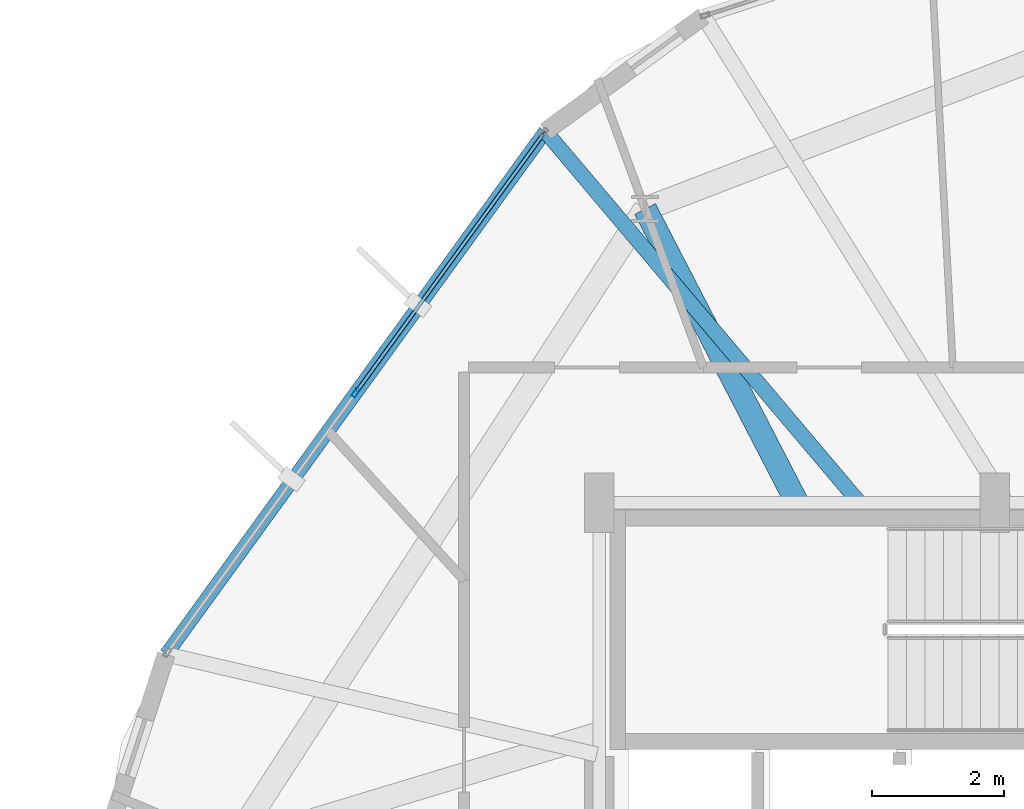
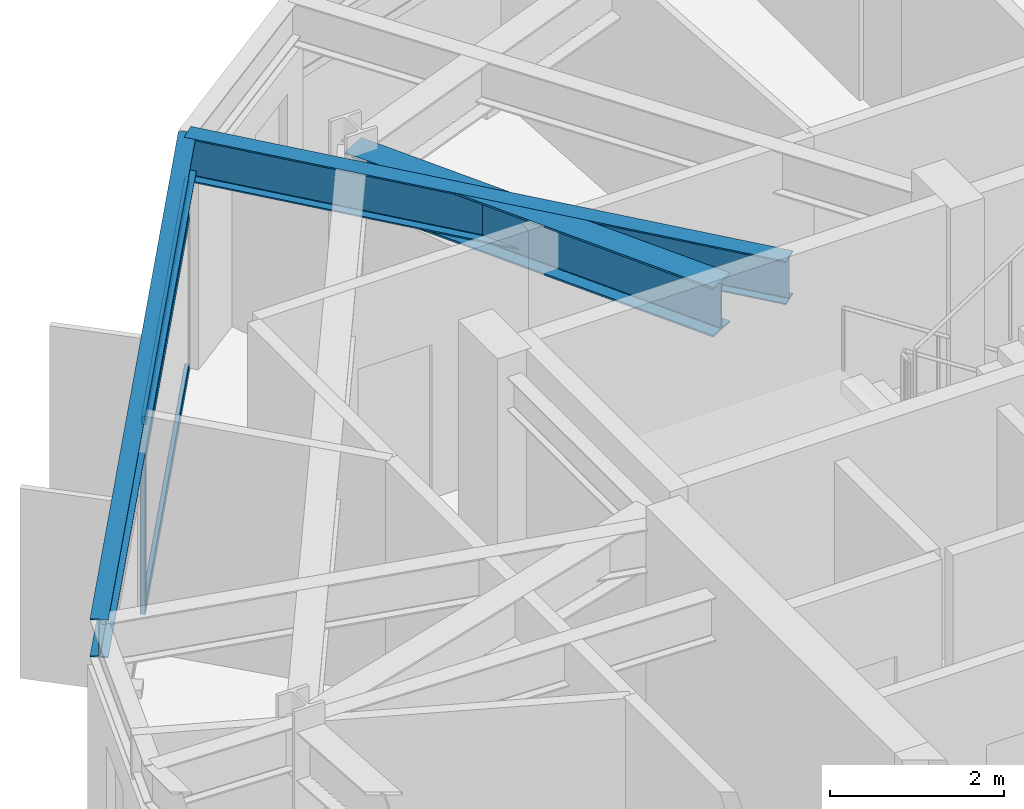
# One storey, part 18 of 31: 4 members, 3 beams, 1 element without a shape of its own.
"""IFC4 building model written with IfcOpenShell, lengths in metres."""

from ifc_helpers import new_model, si_unit, direction, frame, origin, origin_2d, place, context, subcontext, project, spatial, hollow_rectangle, i_section, extrude, material, layer, layer_set, material_profile, profile_set, type_object, element, aggregate, save


model = new_model("IFC4")

# Units and contexts
model_context = context("Model", 3, precision=1e-05, world=origin(), true_north=direction((0.0, 1.0)))
body_context = subcontext(model_context, "Body", "Model", "MODEL_VIEW")
ifc_project = project(units=[si_unit("LENGTHUNIT", "METRE"), si_unit("AREAUNIT", "SQUARE_METRE"), si_unit("VOLUMEUNIT", "CUBIC_METRE"), si_unit("PLANEANGLEUNIT", "RADIAN"), si_unit("MASSUNIT", "GRAM", prefix="KILO")], contexts=[model_context])

# Site, building, storey
site_placement = place(None, origin())
site = spatial("IfcSite", under=ifc_project, at=site_placement, CompositionType="ELEMENT")
building_placement = place(site_placement, origin())
building = spatial("IfcBuilding", under=site, at=building_placement, Name="Soratama Intermodal Tower", CompositionType="ELEMENT")
storey_placement = place(building_placement, frame((0.0, 0.0, 230.199951171875)))
storey = spatial("IfcBuildingStorey", under=building, at=storey_placement, Name="L58", CompositionType="ELEMENT", Elevation=230.199951171875)

# Beams
ifc_material_1 = material(Name="Structural steel ASTM A992 Grade 50", Category="steel")
ifc_material_profile_1 = material_profile(ifc_material_1, i_section(OverallWidth=0.35498046875, OverallDepth=0.695068359375, WebThickness=0.015380859375, FlangeThickness=0.02490234375, FilletRadius=0.01611328125, at=origin_2d()), Name="W27X146")
ifc_profile_set_1 = profile_set([ifc_material_profile_1], Name="Structural steel ASTM A992 Grade 50")
beam_type_1 = type_object("IfcBeamType", Name="BM-RING-W27X146", PredefinedType="BEAM", material=ifc_profile_set_1)
beam_1_placement = place(storey_placement, frame((35.60009765625, 35.0, 2.95263671875), z_axis=(-0.459552673174, 0.888150516849, 0.0), x_axis=(-0.888150516849, -0.459552673174, 0.0)))
element("IfcBeam", 1, at=beam_1_placement, inside=storey, type_object=beam_type_1, Name="BM-L58-RAD-04", PredefinedType="BEAM", context=body_context, shape_type="SweptSolid", body=[
    extrude(i_section(OverallWidth=0.35498046875, OverallDepth=0.695068359375, WebThickness=0.015380859375, FlangeThickness=0.02490234375, FilletRadius=0.01611328125, at=origin_2d()), origin(), (0.0, 0.0, 1.0), 5.01611328125),
])
ifc_material_2 = material(Name="Structural steel ASTM A992 Grade 50", Category="steel")
ifc_material_profile_2 = material_profile(ifc_material_2, i_section(OverallWidth=0.2099609375, OverallDepth=0.537109375, WebThickness=0.010986328125, FlangeThickness=0.017333984375, FilletRadius=0.012939453125, at=origin_2d()), Name="W21X68")
ifc_profile_set_2 = profile_set([ifc_material_profile_2], Name="Structural steel ASTM A992 Grade 50")
beam_type_2 = type_object("IfcBeamType", Name="BM-SPN-W21X68", PredefinedType="SPANDREL", material=ifc_profile_set_2)
beam_2_placement = place(storey_placement, frame((31.781982421875, 40.633056640625, 3.031494140625), z_axis=(-0.586867119404, -0.80968326163, 0.0), x_axis=(0.80968326163, -0.586867119404, 0.0)))
element("IfcBeam", 2, at=beam_2_placement, inside=storey, type_object=beam_type_2, Name="BS-L58-F03", PredefinedType="SPANDREL", context=body_context, shape_type="SweptSolid", body=[
    extrude(i_section(OverallWidth=0.2099609375, OverallDepth=0.537109375, WebThickness=0.010986328125, FlangeThickness=0.017333984375, FilletRadius=0.012939453125, at=origin_2d()), origin(), (0.0, 0.0, 1.0), 9.7978515625),
])
ifc_material_3 = material(Name="Structural steel ASTM A992 Grade 50", Category="steel")
ifc_material_profile_3 = material_profile(ifc_material_3, i_section(OverallWidth=0.22900390625, OverallDepth=0.612060546875, WebThickness=0.011962890625, FlangeThickness=0.01953125, FilletRadius=0.012939453125, at=origin_2d()), Name="W24X84")
ifc_profile_set_3 = profile_set([ifc_material_profile_3], Name="Structural steel ASTM A992 Grade 50")
beam_type_3 = type_object("IfcBeamType", Name="BM-TIE-W24X84", PredefinedType="BEAM", material=ifc_profile_set_3)
beam_3_placement = place(storey_placement, frame((36.51904296875, 35.031005859375, 2.994140625), z_axis=(-0.645693081059, 0.763597043651, 0.0), x_axis=(-0.763597043651, -0.645693081059, 0.0)))
element("IfcBeam", 3, at=beam_3_placement, inside=storey, type_object=beam_type_3, Name="BM-L58-TIE0-03", PredefinedType="BEAM", context=body_context, shape_type="SweptSolid", body=[
    extrude(i_section(OverallWidth=0.22900390625, OverallDepth=0.612060546875, WebThickness=0.011962890625, FlangeThickness=0.01953125, FilletRadius=0.012939453125, at=origin_2d()), origin(), (0.0, 0.0, 1.0), 7.33642578125),
])

# Curtain wall, members
ifc_material_4 = material(Name="Double-glazed aluminium curtain wall", Category="aluminium")
ifc_layer = layer(ifc_material_4, 0.159912109375)
ifc_layer_set = layer_set([ifc_layer], Name="Double-glazed aluminium curtain wall")
curtain_wall_type = type_object("IfcCurtainWallType", Name="CW-SYS-5", PredefinedType="NOTDEFINED", material=ifc_layer_set)
curtain_wall_placement = place(storey_placement, origin())
curtain_wall = element("IfcCurtainWall", 4, at=curtain_wall_placement, inside=storey, type_object=curtain_wall_type, Name="L58 Faceted Curtain Wall F03", PredefinedType="NOTDEFINED")
ifc_material_5 = material(Name="Anodised aluminium AA 6063-T6", Category="aluminium")
ifc_material_profile_4 = material_profile(ifc_material_5, hollow_rectangle(XDim=0.06494140625, YDim=0.139892578125, WallThickness=0.0048828125, InnerFilletRadius=0.0048828125, OuterFilletRadius=0.010009765625, at=origin_2d()), Name="CWM140X65X5")
ifc_profile_set_4 = profile_set([ifc_material_profile_4], Name="Anodised aluminium AA 6063-T6")
member_type_1 = type_object("IfcMemberType", Name="MT-CWM-5", PredefinedType="MULLION", material=ifc_profile_set_4)
member_1_placement = place(storey_placement, frame((28.906982421875, 36.666748046875, 0.0), z_axis=(0.0, 0.0, 1.0), x_axis=(0.80963287542, -0.586936629492, 0.0)))
member_1 = element("IfcMember", 5, at=member_1_placement, type_object=member_type_1, Name="CW-5 mullion 2", PredefinedType="MULLION", context=body_context, shape_type="SweptSolid", body=[
    extrude(hollow_rectangle(XDim=0.06494140625, YDim=0.139892578125, WallThickness=0.0048828125, InnerFilletRadius=0.0048828125, OuterFilletRadius=0.010009765625, at=origin_2d()), origin(), (0.0, 0.0, 1.0), 2.678955078125),
])
ifc_material_6 = material(Name="Anodised aluminium AA 6063-T6", Category="aluminium")
ifc_material_profile_5 = material_profile(ifc_material_6, hollow_rectangle(XDim=0.06005859375, YDim=0.1298828125, WallThickness=0.0048828125, InnerFilletRadius=0.0048828125, OuterFilletRadius=0.010009765625, at=origin_2d()), Name="CWT130X60X5")
ifc_profile_set_5 = profile_set([ifc_material_profile_5], Name="Anodised aluminium AA 6063-T6")
member_type_2 = type_object("IfcMemberType", Name="TT-CWT-2", PredefinedType="USERDEFINED", material=ifc_profile_set_5)
member_2_placement = place(storey_placement, frame((31.7470703125, 40.584228515625, 0.030029296875), z_axis=(-0.586948436467, -0.80962431592, 0.0), x_axis=(0.80962431592, -0.586948436467, 0.0)))
member_2 = element("IfcMember", 6, at=member_2_placement, type_object=member_type_2, Name="CW-5 transom 1.1", ObjectType="TRANSOM", PredefinedType="USERDEFINED", context=body_context, shape_type="SweptSolid", body=[
    extrude(hollow_rectangle(XDim=0.06005859375, YDim=0.1298828125, WallThickness=0.0048828125, InnerFilletRadius=0.0048828125, OuterFilletRadius=0.010009765625, at=origin_2d()), origin(), (0.0, 0.0, 1.0), 4.808837890625),
])
member_3_placement = place(storey_placement, frame((31.7470703125, 40.584228515625, 2.150146484375), z_axis=(-0.586948436467, -0.80962431592, 0.0), x_axis=(0.80962431592, -0.586948436467, 0.0)))
member_3 = element("IfcMember", 7, at=member_3_placement, type_object=member_type_2, Name="CW-5 transom 1.2", ObjectType="TRANSOM", PredefinedType="USERDEFINED", context=body_context, shape_type="SweptSolid", body=[
    extrude(hollow_rectangle(XDim=0.06005859375, YDim=0.1298828125, WallThickness=0.0048828125, InnerFilletRadius=0.0048828125, OuterFilletRadius=0.010009765625, at=origin_2d()), origin(), (0.0, 0.0, 1.0), 4.808837890625),
])
member_4_placement = place(storey_placement, frame((31.7470703125, 40.584228515625, 2.649169921875), z_axis=(-0.586948436467, -0.80962431592, 0.0), x_axis=(0.80962431592, -0.586948436467, 0.0)))
member_4 = element("IfcMember", 8, at=member_4_placement, type_object=member_type_2, Name="CW-5 transom 1.3", ObjectType="TRANSOM", PredefinedType="USERDEFINED", context=body_context, shape_type="SweptSolid", body=[
    extrude(hollow_rectangle(XDim=0.06005859375, YDim=0.1298828125, WallThickness=0.0048828125, InnerFilletRadius=0.0048828125, OuterFilletRadius=0.010009765625, at=origin_2d()), origin(), (0.0, 0.0, 1.0), 4.808837890625),
])
aggregate(curtain_wall, [member_1, member_2, member_3, member_4])

save(model, "model.ifc")
